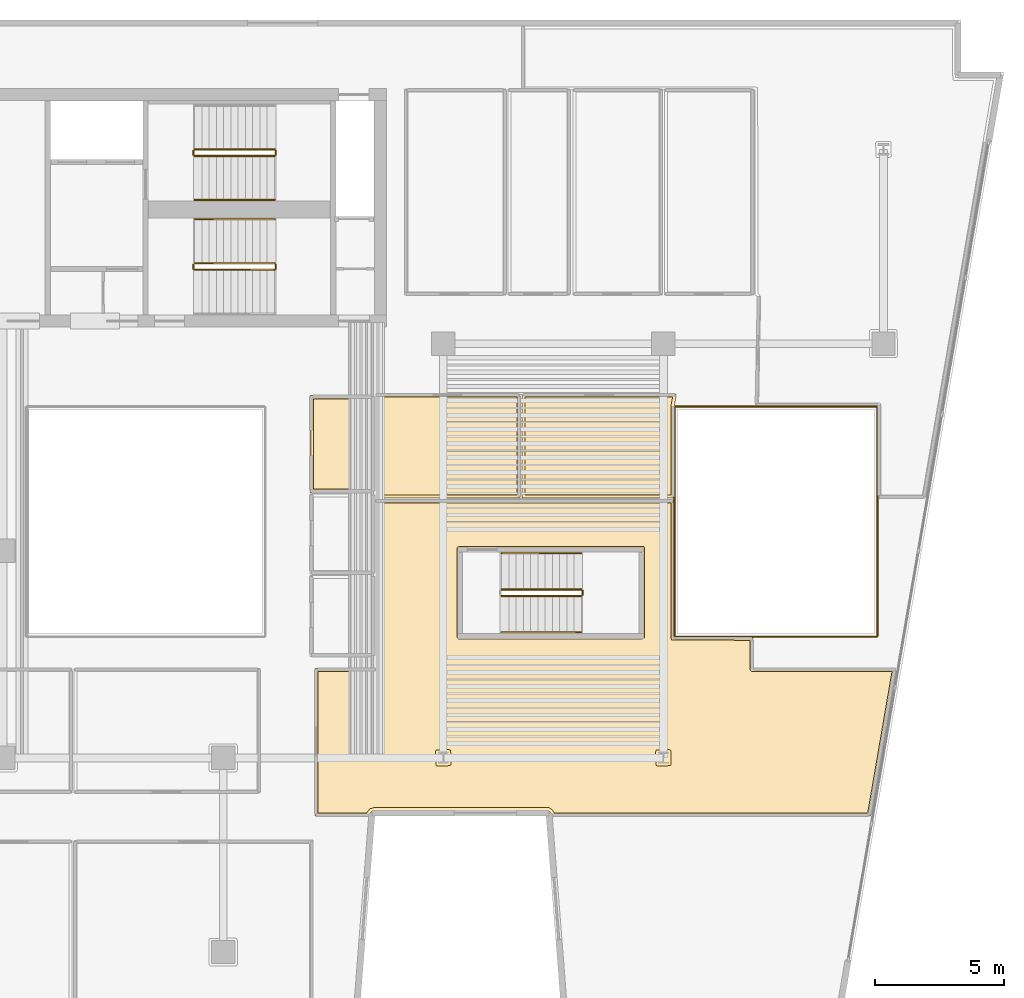
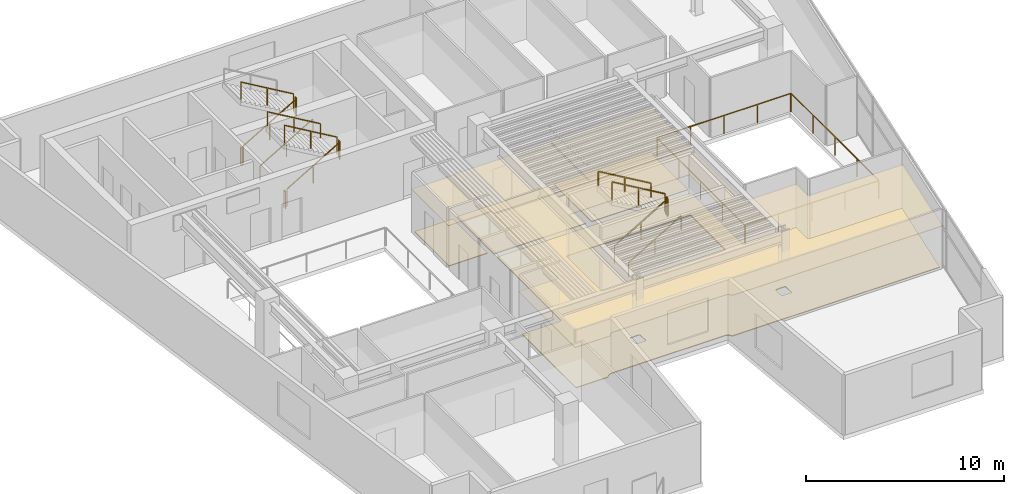
# One storey, part 8 of 9: 19 railings, 8 coverings.
"""IFC4 building model written with IfcOpenShell, lengths in metres."""

from ifc_helpers import new_model, si_unit, direction, frame, origin, origin_2d, place, context, subcontext, project, spatial, polyline, rectangle, outline, extrude, material, layer, layer_set, type_object, element, save


model = new_model("IFC4")

# Units and contexts
model_context = context("Model", 3, precision=1e-05, world=origin(), true_north=direction((0.0, 1.0)))
body_context = subcontext(model_context, "Body", "Model", "MODEL_VIEW")
ifc_project = project(units=[si_unit("LENGTHUNIT", "METRE"), si_unit("AREAUNIT", "SQUARE_METRE"), si_unit("VOLUMEUNIT", "CUBIC_METRE"), si_unit("PLANEANGLEUNIT", "RADIAN"), si_unit("MASSUNIT", "GRAM", prefix="KILO")], contexts=[model_context])

# Site, building, storey
site_placement = place(None, origin())
site = spatial("IfcSite", under=ifc_project, at=site_placement, CompositionType="ELEMENT")
building_placement = place(site_placement, origin())
building = spatial("IfcBuilding", under=site, at=building_placement, Name="Caeloran Harvest Quay", CompositionType="ELEMENT")
storey_placement = place(building_placement, frame((0.0, 0.0, 207.449951171875)))
storey = spatial("IfcBuildingStorey", under=building, at=storey_placement, Name="L49", CompositionType="ELEMENT", Elevation=207.449951171875)

# Coverings
ifc_material_1 = material(Name="Perforated Mineral-Fibre Acoustic Ceiling Tile", Category="ceiling")
ifc_layer_1 = layer(ifc_material_1, 0.0400390625, Name="Perforated Mineral-Fibre Acoustic Ceiling Tile")
ifc_layer_set_1 = layer_set([ifc_layer_1], Name="Perforated Mineral-Fibre Acoustic Ceiling Tile")
covering_type_1 = type_object("IfcCoveringType", Name="COV-CEILING-ACOUSTIC", PredefinedType="CEILING", material=ifc_layer_set_1)
covering_1_placement = place(storey_placement, frame((0.0, 0.0, 2.60009765625)))
element("IfcCovering", 1, at=covering_1_placement, inside=storey, type_object=covering_type_1, Name="L49 Male Washroom WC Acoustic Ceiling", PredefinedType="CEILING", context=body_context, shape_type="SweptSolid", body=[
    extrude(outline(polyline([(22.840087890625, 28.989990234375), (22.840087890625, 25.260009765625), (20.360107421875, 25.260009765625), (20.360107421875, 28.989990234375), (22.840087890625, 28.989990234375)])), origin(), (0.0, 0.0, 1.0), 0.0400390625),
])
covering_2_placement = place(storey_placement, frame((0.0, 0.0, 2.60009765625)))
element("IfcCovering", 2, at=covering_2_placement, inside=storey, type_object=covering_type_1, Name="Roundtable Conference Room Acoustic Ceiling", PredefinedType="CEILING", context=body_context, shape_type="SweptSolid", body=[
    extrude(outline(polyline([(22.594482421875, 12.760009765625), (20.5400390625, 12.760009765625), (20.5400390625, 18.4599609375), (22.85009765625, 18.4599609375), (22.8701171875, 24.9599609375), (34.409912109375, 24.9599609375), (34.409912109375, 19.659912109375), (37.4599609375, 19.659912109375), (37.4599609375, 18.4599609375), (42.972900390625, 18.4599609375), (41.993408203125, 12.760009765625), (29.727294921875, 12.760009765625), (29.64111328125, 12.887451171875), (29.54150390625, 12.969970703125), (22.85791015625, 12.969970703125), (22.792236328125, 12.960205078125), (22.7158203125, 12.918701171875), (22.672607421875, 12.86962890625), (22.64208984375, 12.796142578125), (22.594482421875, 12.760009765625)]), holes=[polyline([(33.159912109375, 19.719970703125), (33.159912109375, 23.059814453125), (26.143798828125, 23.044189453125), (26.15576171875, 19.693603515625), (33.159912109375, 19.719970703125)])]), origin(), (0.0, 0.0, 1.0), 0.0400390625),
])
covering_3_placement = place(storey_placement, frame((0.0, 0.0, 2.60009765625)))
element("IfcCovering", 3, at=covering_3_placement, inside=storey, type_object=covering_type_1, Name="Harbour Tea Kitchen Acoustic Ceiling", PredefinedType="CEILING", context=body_context, shape_type="SweptSolid", body=[
    extrude(outline(polyline([(22.8701171875, 25.0400390625), (22.8701171875, 29.06005859375), (28.4599609375, 29.06005859375), (28.4599609375, 25.0400390625), (22.8701171875, 25.0400390625)])), origin(), (0.0, 0.0, 1.0), 0.0400390625),
])
covering_4_placement = place(storey_placement, frame((0.0, 0.0, 2.60009765625)))
element("IfcCovering", 4, at=covering_4_placement, inside=storey, type_object=covering_type_1, Name="Food-Security Culinary Kitchen 7 Acoustic Ceiling", PredefinedType="CEILING", context=body_context, shape_type="SweptSolid", body=[
    extrude(outline(polyline([(34.409912109375, 28.592041015625), (34.409912109375, 25.0400390625), (28.5400390625, 25.0400390625), (28.5400390625, 29.06005859375), (34.49853515625, 29.06005859375), (34.429931640625, 28.596923828125), (34.409912109375, 28.592041015625)])), origin(), (0.0, 0.0, 1.0), 0.0400390625),
])
ifc_material_2 = material(Name="Calcium-Sulphate Raised Access Floor and Terrazzo Finish", Category="flooring")
ifc_layer_2 = layer(ifc_material_2, 0.050048828125, Name="Calcium-Sulphate Raised Access Floor and Terrazzo Finish")
ifc_layer_set_2 = layer_set([ifc_layer_2], Name="Calcium-Sulphate Raised Access Floor and Terrazzo Finish")
covering_type_2 = type_object("IfcCoveringType", Name="COV-FLOOR-RAISED", PredefinedType="FLOORING", material=ifc_layer_set_2)
covering_5_placement = place(storey_placement, origin())
element("IfcCovering", 5, at=covering_5_placement, inside=storey, type_object=covering_type_2, Name="L49 Male Washroom WC Raised Finish Flooring", PredefinedType="FLOORING", context=body_context, shape_type="SweptSolid", body=[
    extrude(outline(polyline([(22.719970703125, 28.8701171875), (22.719970703125, 25.3798828125), (20.47998046875, 25.3798828125), (20.47998046875, 28.8701171875), (22.719970703125, 28.8701171875)])), origin(), (0.0, 0.0, 1.0), 0.050048828125),
])
covering_6_placement = place(storey_placement, origin())
element("IfcCovering", 6, at=covering_6_placement, inside=storey, type_object=covering_type_2, Name="Roundtable Conference Room Raised Finish Flooring", PredefinedType="FLOORING", context=body_context, shape_type="SweptSolid", body=[
    extrude(outline(polyline([(22.54296875, 12.8798828125), (20.659912109375, 12.8798828125), (20.659912109375, 18.340087890625), (22.889892578125, 18.340087890625), (22.966552734375, 18.396484375), (22.98974609375, 24.840087890625), (34.2900390625, 24.840087890625), (34.2900390625, 19.6201171875), (34.319091796875, 19.55810546875), (37.340087890625, 19.5400390625), (37.34033203125, 18.412109375), (37.412109375, 18.34033203125), (42.83056640625, 18.340087890625), (41.89208984375, 12.8798828125), (29.783447265625, 12.8798828125), (29.709716796875, 12.990478515625), (29.559326171875, 13.090087890625), (22.85302734375, 13.08984375), (22.669189453125, 13.033203125), (22.54296875, 12.8798828125)]), holes=[polyline([(34.302490234375, 14.754150390625), (34.284912109375, 15.288818359375), (34.230712890625, 15.317626953125), (33.726318359375, 15.2998046875), (33.697021484375, 15.238037109375), (33.715087890625, 14.711181640625), (33.777099609375, 14.681884765625), (34.273681640625, 14.7001953125), (34.302490234375, 14.754150390625)]), polyline([(26.103515625, 23.1640625), (26.046875, 23.140380859375), (26.0234375, 23.083984375), (26.035888671875, 19.6533203125), (26.078369140625, 19.5830078125), (33.2001953125, 19.60009765625), (33.2705078125, 19.642333984375), (33.280029296875, 23.10009765625), (33.237548828125, 23.170654296875), (26.103515625, 23.1640625)]), polyline([(25.802490234375, 14.754150390625), (25.784912109375, 15.288818359375), (25.730712890625, 15.317626953125), (25.226318359375, 15.2998046875), (25.197021484375, 15.238037109375), (25.215087890625, 14.711181640625), (25.277099609375, 14.681884765625), (25.773681640625, 14.7001953125), (25.802490234375, 14.754150390625)])]), origin(), (0.0, 0.0, 1.0), 0.050048828125),
])
covering_7_placement = place(storey_placement, origin())
element("IfcCovering", 7, at=covering_7_placement, inside=storey, type_object=covering_type_2, Name="Harbour Tea Kitchen Raised Finish Flooring", PredefinedType="FLOORING", context=body_context, shape_type="SweptSolid", body=[
    extrude(outline(polyline([(22.989990234375, 25.159912109375), (22.989990234375, 28.93994140625), (28.340087890625, 28.93994140625), (28.340087890625, 25.159912109375), (22.989990234375, 25.159912109375)])), origin(), (0.0, 0.0, 1.0), 0.050048828125),
])
covering_8_placement = place(storey_placement, origin())
element("IfcCovering", 8, at=covering_8_placement, inside=storey, type_object=covering_type_2, Name="Food-Security Culinary Kitchen 7 Raised Finish Flooring", PredefinedType="FLOORING", context=body_context, shape_type="SweptSolid", body=[
    extrude(outline(polyline([(34.359619140625, 28.93994140625), (34.2900390625, 28.60009765625), (34.2900390625, 25.159912109375), (28.659912109375, 25.159912109375), (28.659912109375, 28.93994140625), (34.359619140625, 28.93994140625)])), origin(), (0.0, 0.0, 1.0), 0.050048828125),
])

# Railings
ifc_material_3 = material(Name="Powder-Coated Steel Post and Laminated Glass Guardrail", Category="steel")
ifc_layer_3 = layer(ifc_material_3, 0.06005859375, Name="Powder-Coated Steel Post and Laminated Glass Guardrail")
ifc_layer_set_3 = layer_set([ifc_layer_3], Name="Powder-Coated Steel Post and Laminated Glass Guardrail")
railing_type_1 = type_object("IfcRailingType", Name="GUARD-ATRIUM-1150", PredefinedType="GUARDRAIL", material=ifc_layer_set_3)
railing_1_placement = place(storey_placement, frame((34.4619140625, 19.679931640625, 0.0)))
element("IfcRailing", 9, at=railing_1_placement, inside=storey, type_object=railing_type_1, Name="L49 East Botanical Lightwell Guardrail Seg 1", PredefinedType="GUARDRAIL", context=body_context, shape_type="SweptSolid", body=[
    extrude(rectangle(XDim=0.048095703125, YDim=0.048095703125, at=origin_2d()), frame((0.0, 0.0, 1.1259765625), z_axis=(1.0, 0.0, 0.0), x_axis=(0.0, 1.0, 0.0)), (0.0, 0.0, 1.0), 7.776123046875),
    extrude(rectangle(XDim=0.0419921875, YDim=0.0419921875, at=origin_2d()), origin(), (0.0, 0.0, 1.0), 1.101806640625),
    extrude(rectangle(XDim=0.0419921875, YDim=0.0419921875, at=origin_2d()), frame((1.944091796875, 0.0, 0.0)), (0.0, 0.0, 1.0), 1.101806640625),
    extrude(rectangle(XDim=0.0419921875, YDim=0.0419921875, at=origin_2d()), frame((3.88818359375, 0.0, 0.0)), (0.0, 0.0, 1.0), 1.101806640625),
    extrude(rectangle(XDim=0.0419921875, YDim=0.0419921875, at=origin_2d()), frame((5.83203125, 0.0, 0.0)), (0.0, 0.0, 1.0), 1.101806640625),
    extrude(rectangle(XDim=0.0419921875, YDim=0.0419921875, at=origin_2d()), frame((7.776123046875, 0.0, 0.0)), (0.0, 0.0, 1.0), 1.101806640625),
])
railing_2_placement = place(storey_placement, frame((42.27001953125, 19.7119140625, 0.0)))
element("IfcRailing", 10, at=railing_2_placement, inside=storey, type_object=railing_type_1, Name="L49 East Botanical Lightwell Guardrail Seg 2", PredefinedType="GUARDRAIL", context=body_context, shape_type="SweptSolid", body=[
    extrude(rectangle(XDim=0.048095703125, YDim=0.048095703125, at=origin_2d()), frame((0.0, 0.0, 1.1259765625), z_axis=(0.0, 1.0, 0.0), x_axis=(-1.0, 0.0, 0.0)), (0.0, 0.0, 1.0), 8.826171875),
    extrude(rectangle(XDim=0.0419921875, YDim=0.0419921875, at=origin_2d()), origin(), (0.0, 0.0, 1.0), 1.101806640625),
    extrude(rectangle(XDim=0.0419921875, YDim=0.0419921875, at=origin_2d()), frame((0.0, 2.20654296875, 0.0)), (0.0, 0.0, 1.0), 1.101806640625),
    extrude(rectangle(XDim=0.0419921875, YDim=0.0419921875, at=origin_2d()), frame((0.0, 4.4130859375, 0.0)), (0.0, 0.0, 1.0), 1.101806640625),
    extrude(rectangle(XDim=0.0419921875, YDim=0.0419921875, at=origin_2d()), frame((0.0, 6.61962890625, 0.0)), (0.0, 0.0, 1.0), 1.101806640625),
    extrude(rectangle(XDim=0.0419921875, YDim=0.0419921875, at=origin_2d()), frame((0.0, 8.826171875, 0.0)), (0.0, 0.0, 1.0), 1.101806640625),
])
railing_3_placement = place(storey_placement, frame((42.238037109375, 28.570068359375, 0.0)))
element("IfcRailing", 11, at=railing_3_placement, inside=storey, type_object=railing_type_1, Name="L49 East Botanical Lightwell Guardrail Seg 3", PredefinedType="GUARDRAIL", context=body_context, shape_type="SweptSolid", body=[
    extrude(rectangle(XDim=0.048095703125, YDim=0.048095703125, at=origin_2d()), frame((0.0, 0.0, 1.1259765625), z_axis=(-1.0, 0.0, 0.0), x_axis=(0.0, -1.0, 0.0)), (0.0, 0.0, 1.0), 7.776123046875),
    extrude(rectangle(XDim=0.0419921875, YDim=0.0419921875, at=origin_2d()), origin(), (0.0, 0.0, 1.0), 1.101806640625),
    extrude(rectangle(XDim=0.0419921875, YDim=0.0419921875, at=origin_2d()), frame((-1.944091796875, 0.0, 0.0)), (0.0, 0.0, 1.0), 1.101806640625),
    extrude(rectangle(XDim=0.0419921875, YDim=0.0419921875, at=origin_2d()), frame((-3.88818359375, 0.0, 0.0)), (0.0, 0.0, 1.0), 1.101806640625),
    extrude(rectangle(XDim=0.0419921875, YDim=0.0419921875, at=origin_2d()), frame((-5.83203125, 0.0, 0.0)), (0.0, 0.0, 1.0), 1.101806640625),
    extrude(rectangle(XDim=0.0419921875, YDim=0.0419921875, at=origin_2d()), frame((-7.776123046875, 0.0, 0.0)), (0.0, 0.0, 1.0), 1.101806640625),
])
railing_4_placement = place(storey_placement, frame((34.429931640625, 28.5380859375, 0.0)))
element("IfcRailing", 12, at=railing_4_placement, inside=storey, type_object=railing_type_1, Name="L49 East Botanical Lightwell Guardrail Seg 4", PredefinedType="GUARDRAIL", context=body_context, shape_type="SweptSolid", body=[
    extrude(rectangle(XDim=0.048095703125, YDim=0.048095703125, at=origin_2d()), frame((0.0, 0.0, 1.1259765625), z_axis=(0.0, -1.0, 0.0), x_axis=(1.0, 0.0, 0.0)), (0.0, 0.0, 1.0), 8.826171875),
    extrude(rectangle(XDim=0.0419921875, YDim=0.0419921875, at=origin_2d()), origin(), (0.0, 0.0, 1.0), 1.101806640625),
    extrude(rectangle(XDim=0.0419921875, YDim=0.0419921875, at=origin_2d()), frame((0.0, -2.20654296875, 0.0)), (0.0, 0.0, 1.0), 1.101806640625),
    extrude(rectangle(XDim=0.0419921875, YDim=0.0419921875, at=origin_2d()), frame((0.0, -4.4130859375, 0.0)), (0.0, 0.0, 1.0), 1.101806640625),
    extrude(rectangle(XDim=0.0419921875, YDim=0.0419921875, at=origin_2d()), frame((0.0, -6.61962890625, 0.0)), (0.0, 0.0, 1.0), 1.101806640625),
    extrude(rectangle(XDim=0.0419921875, YDim=0.0419921875, at=origin_2d()), frame((0.0, -8.826171875, 0.0)), (0.0, 0.0, 1.0), 1.101806640625),
])
ifc_material_4 = material(Name="Painted Steel Baluster and Top-Rail Stair Guard", Category="steel")
ifc_layer_4 = layer(ifc_material_4, 0.050048828125, Name="Painted Steel Baluster and Top-Rail Stair Guard")
ifc_layer_set_4 = layer_set([ifc_layer_4], Name="Painted Steel Baluster and Top-Rail Stair Guard")
railing_type_2 = type_object("IfcRailingType", Name="STAIR-GUARD-1100", PredefinedType="GUARDRAIL", material=ifc_layer_set_4)
railing_5_placement = place(storey_placement, frame((15.89990234375, 38.25, 0.16455078125)))
element("IfcRailing", 13, at=railing_5_placement, inside=storey, type_object=railing_type_2, Name="L49 ST-C1 stair guard 1", PredefinedType="GUARDRAIL", context=body_context, shape_type="SweptSolid", body=[
    extrude(rectangle(XDim=0.048095703125, YDim=0.048095703125, at=origin_2d()), frame((0.0, 0.0, 1.076171875), z_axis=(0.862088758681, 0.0, 0.506757310905), x_axis=(0.0, 1.0, 0.0)), (0.0, 0.0, 1.0), 3.57275390625),
    extrude(rectangle(XDim=0.0419921875, YDim=0.0419921875, at=origin_2d()), origin(), (0.0, 0.0, 1.0), 1.052001953125),
    extrude(rectangle(XDim=0.0419921875, YDim=0.0419921875, at=origin_2d()), frame((1.5400390625, 0.0, 0.9052734375)), (0.0, 0.0, 1.0), 1.052001953125),
    extrude(rectangle(XDim=0.0419921875, YDim=0.0419921875, at=origin_2d()), frame((3.080078125, 0.0, 1.810546875)), (0.0, 0.0, 1.0), 1.052001953125),
])
railing_6_placement = place(storey_placement, frame((19.030029296875, 38.300048828125, 1.97509765625)))
element("IfcRailing", 14, at=railing_6_placement, inside=storey, type_object=railing_type_2, Name="L49 ST-C1 stair guard 2", PredefinedType="GUARDRAIL", context=body_context, shape_type="SweptSolid", body=[
    extrude(rectangle(XDim=0.048095703125, YDim=0.048095703125, at=origin_2d()), frame((0.0, 0.0, 1.076171875), z_axis=(0.0, 1.0, 0.0), x_axis=(-1.0, 0.0, 0.0)), (0.0, 0.0, 1.0), 0.14990234375),
    extrude(rectangle(XDim=0.0419921875, YDim=0.0419921875, at=origin_2d()), origin(), (0.0, 0.0, 1.0), 1.052001953125),
    extrude(rectangle(XDim=0.0419921875, YDim=0.0419921875, at=origin_2d()), frame((0.0, 0.14990234375, 0.0)), (0.0, 0.0, 1.0), 1.052001953125),
])
railing_7_placement = place(storey_placement, frame((18.97998046875, 38.5, 2.1396484375)))
element("IfcRailing", 15, at=railing_7_placement, inside=storey, type_object=railing_type_2, Name="L49 ST-C1 stair guard 3", PredefinedType="GUARDRAIL", context=body_context, shape_type="SweptSolid", body=[
    extrude(rectangle(XDim=0.048095703125, YDim=0.048095703125, at=origin_2d()), frame((0.0, 0.0, 1.076171875), z_axis=(-0.862118610829, 0.0, 0.506706523406), x_axis=(0.0, -1.0, 0.0)), (0.0, 0.0, 1.0), 3.57275390625),
    extrude(rectangle(XDim=0.0419921875, YDim=0.0419921875, at=origin_2d()), origin(), (0.0, 0.0, 1.0), 1.052001953125),
    extrude(rectangle(XDim=0.0419921875, YDim=0.0419921875, at=origin_2d()), frame((-1.5400390625, 0.0, 0.9052734375)), (0.0, 0.0, 1.0), 1.052001953125),
    extrude(rectangle(XDim=0.0419921875, YDim=0.0419921875, at=origin_2d()), frame((-3.080078125, 0.0, 1.810302734375)), (0.0, 0.0, 1.0), 1.052001953125),
])
railing_8_placement = place(storey_placement, frame((15.85009765625, 38.300048828125, 0.0)))
element("IfcRailing", 16, at=railing_8_placement, inside=storey, type_object=railing_type_2, Name="L49 ST-C1 stair guard 4", PredefinedType="GUARDRAIL", context=body_context, shape_type="SweptSolid", body=[
    extrude(rectangle(XDim=0.048095703125, YDim=0.048095703125, at=origin_2d()), frame((0.0, 0.0, 1.076171875), z_axis=(0.0, 1.0, 0.0), x_axis=(-1.0, 0.0, 0.0)), (0.0, 0.0, 1.0), 0.14990234375),
    extrude(rectangle(XDim=0.0419921875, YDim=0.0419921875, at=origin_2d()), origin(), (0.0, 0.0, 1.0), 1.052001953125),
    extrude(rectangle(XDim=0.0419921875, YDim=0.0419921875, at=origin_2d()), frame((0.0, 0.14990234375, 0.0)), (0.0, 0.0, 1.0), 1.052001953125),
])
railing_9_placement = place(storey_placement, frame((15.89990234375, 33.85009765625, 0.16455078125)))
element("IfcRailing", 17, at=railing_9_placement, inside=storey, type_object=railing_type_2, Name="L49 ST-C2 stair guard 1", PredefinedType="GUARDRAIL", context=body_context, shape_type="SweptSolid", body=[
    extrude(rectangle(XDim=0.048095703125, YDim=0.048095703125, at=origin_2d()), frame((0.0, 0.0, 1.076171875), z_axis=(0.862088758681, 0.0, 0.506757310905), x_axis=(0.0, 1.0, 0.0)), (0.0, 0.0, 1.0), 3.57275390625),
    extrude(rectangle(XDim=0.0419921875, YDim=0.0419921875, at=origin_2d()), origin(), (0.0, 0.0, 1.0), 1.052001953125),
    extrude(rectangle(XDim=0.0419921875, YDim=0.0419921875, at=origin_2d()), frame((1.5400390625, 0.0, 0.9052734375)), (0.0, 0.0, 1.0), 1.052001953125),
    extrude(rectangle(XDim=0.0419921875, YDim=0.0419921875, at=origin_2d()), frame((3.080078125, 0.0, 1.810546875)), (0.0, 0.0, 1.0), 1.052001953125),
])
railing_10_placement = place(storey_placement, frame((19.030029296875, 33.89990234375, 1.97509765625)))
element("IfcRailing", 18, at=railing_10_placement, inside=storey, type_object=railing_type_2, Name="L49 ST-C2 stair guard 2", PredefinedType="GUARDRAIL", context=body_context, shape_type="SweptSolid", body=[
    extrude(rectangle(XDim=0.048095703125, YDim=0.048095703125, at=origin_2d()), frame((0.0, 0.0, 1.076171875), z_axis=(0.0, 1.0, 0.0), x_axis=(-1.0, 0.0, 0.0)), (0.0, 0.0, 1.0), 0.150146484375),
    extrude(rectangle(XDim=0.0419921875, YDim=0.0419921875, at=origin_2d()), origin(), (0.0, 0.0, 1.0), 1.052001953125),
    extrude(rectangle(XDim=0.0419921875, YDim=0.0419921875, at=origin_2d()), frame((0.0, 0.150146484375, 0.0)), (0.0, 0.0, 1.0), 1.052001953125),
])
railing_11_placement = place(storey_placement, frame((18.97998046875, 34.10009765625, 2.1396484375)))
element("IfcRailing", 19, at=railing_11_placement, inside=storey, type_object=railing_type_2, Name="L49 ST-C2 stair guard 3", PredefinedType="GUARDRAIL", context=body_context, shape_type="SweptSolid", body=[
    extrude(rectangle(XDim=0.048095703125, YDim=0.048095703125, at=origin_2d()), frame((0.0, 0.0, 1.076171875), z_axis=(-0.862118610829, 0.0, 0.506706523406), x_axis=(0.0, -1.0, 0.0)), (0.0, 0.0, 1.0), 3.57275390625),
    extrude(rectangle(XDim=0.0419921875, YDim=0.0419921875, at=origin_2d()), origin(), (0.0, 0.0, 1.0), 1.052001953125),
    extrude(rectangle(XDim=0.0419921875, YDim=0.0419921875, at=origin_2d()), frame((-1.5400390625, 0.0, 0.9052734375)), (0.0, 0.0, 1.0), 1.052001953125),
    extrude(rectangle(XDim=0.0419921875, YDim=0.0419921875, at=origin_2d()), frame((-3.080078125, 0.0, 1.810302734375)), (0.0, 0.0, 1.0), 1.052001953125),
])
railing_12_placement = place(storey_placement, frame((15.85009765625, 33.89990234375, 0.0)))
element("IfcRailing", 20, at=railing_12_placement, inside=storey, type_object=railing_type_2, Name="L49 ST-C2 stair guard 4", PredefinedType="GUARDRAIL", context=body_context, shape_type="SweptSolid", body=[
    extrude(rectangle(XDim=0.048095703125, YDim=0.048095703125, at=origin_2d()), frame((0.0, 0.0, 1.076171875), z_axis=(0.0, 1.0, 0.0), x_axis=(-1.0, 0.0, 0.0)), (0.0, 0.0, 1.0), 0.150146484375),
    extrude(rectangle(XDim=0.0419921875, YDim=0.0419921875, at=origin_2d()), origin(), (0.0, 0.0, 1.0), 1.052001953125),
    extrude(rectangle(XDim=0.0419921875, YDim=0.0419921875, at=origin_2d()), frame((0.0, 0.150146484375, 0.0)), (0.0, 0.0, 1.0), 1.052001953125),
])
railing_13_placement = place(storey_placement, frame((27.75, 21.25, 0.16455078125)))
element("IfcRailing", 21, at=railing_13_placement, inside=storey, type_object=railing_type_2, Name="L49 ST-W1 stair guard 1", PredefinedType="GUARDRAIL", context=body_context, shape_type="SweptSolid", body=[
    extrude(rectangle(XDim=0.048095703125, YDim=0.048095703125, at=origin_2d()), frame((0.0, 0.0, 1.076171875), z_axis=(0.862088758681, 0.0, 0.506757310905), x_axis=(0.0, 1.0, 0.0)), (0.0, 0.0, 1.0), 3.57275390625),
    extrude(rectangle(XDim=0.0419921875, YDim=0.0419921875, at=origin_2d()), origin(), (0.0, 0.0, 1.0), 1.052001953125),
    extrude(rectangle(XDim=0.0419921875, YDim=0.0419921875, at=origin_2d()), frame((1.5400390625, 0.0, 0.9052734375)), (0.0, 0.0, 1.0), 1.052001953125),
    extrude(rectangle(XDim=0.0419921875, YDim=0.0419921875, at=origin_2d()), frame((3.080078125, 0.0, 1.810546875)), (0.0, 0.0, 1.0), 1.052001953125),
])
railing_14_placement = place(storey_placement, frame((30.8798828125, 21.300048828125, 1.97509765625)))
element("IfcRailing", 22, at=railing_14_placement, inside=storey, type_object=railing_type_2, Name="L49 ST-W1 stair guard 2", PredefinedType="GUARDRAIL", context=body_context, shape_type="SweptSolid", body=[
    extrude(rectangle(XDim=0.048095703125, YDim=0.048095703125, at=origin_2d()), frame((0.0, 0.0, 1.076171875), z_axis=(0.0, 1.0, 0.0), x_axis=(-1.0, 0.0, 0.0)), (0.0, 0.0, 1.0), 0.14990234375),
    extrude(rectangle(XDim=0.0419921875, YDim=0.0419921875, at=origin_2d()), origin(), (0.0, 0.0, 1.0), 1.052001953125),
    extrude(rectangle(XDim=0.0419921875, YDim=0.0419921875, at=origin_2d()), frame((0.0, 0.14990234375, 0.0)), (0.0, 0.0, 1.0), 1.052001953125),
])
railing_15_placement = place(storey_placement, frame((30.830078125, 21.5, 2.1396484375)))
element("IfcRailing", 23, at=railing_15_placement, inside=storey, type_object=railing_type_2, Name="L49 ST-W1 stair guard 3", PredefinedType="GUARDRAIL", context=body_context, shape_type="SweptSolid", body=[
    extrude(rectangle(XDim=0.048095703125, YDim=0.048095703125, at=origin_2d()), frame((0.0, 0.0, 1.076171875), z_axis=(-0.862118610829, 0.0, 0.506706523406), x_axis=(0.0, -1.0, 0.0)), (0.0, 0.0, 1.0), 3.57275390625),
    extrude(rectangle(XDim=0.0419921875, YDim=0.0419921875, at=origin_2d()), origin(), (0.0, 0.0, 1.0), 1.052001953125),
    extrude(rectangle(XDim=0.0419921875, YDim=0.0419921875, at=origin_2d()), frame((-1.5400390625, 0.0, 0.9052734375)), (0.0, 0.0, 1.0), 1.052001953125),
    extrude(rectangle(XDim=0.0419921875, YDim=0.0419921875, at=origin_2d()), frame((-3.080078125, 0.0, 1.810302734375)), (0.0, 0.0, 1.0), 1.052001953125),
])
ifc_material_5 = material(Name="Brushed Stainless Steel Grade 304", Category="steel")
ifc_layer_5 = layer(ifc_material_5, 0.050048828125, Name="Brushed Stainless Steel Grade 304")
ifc_layer_set_5 = layer_set([ifc_layer_5], Name="Brushed Stainless Steel Grade 304")
railing_type_3 = type_object("IfcRailingType", Name="STAIR-HANDRAIL-900", PredefinedType="HANDRAIL", material=ifc_layer_set_5)
railing_16_placement = place(storey_placement, frame((15.89990234375, 36.550048828125, 0.16455078125)))
element("IfcRailing", 24, at=railing_16_placement, inside=storey, type_object=railing_type_3, Name="L49 ST-C1 stair handrail 1", PredefinedType="HANDRAIL", context=body_context, shape_type="SweptSolid", body=[
    extrude(rectangle(XDim=0.048095703125, YDim=0.048095703125, at=origin_2d()), frame((0.0, 0.0, 0.8759765625), z_axis=(0.862088758681, 0.0, 0.506757310905), x_axis=(0.0, 1.0, 0.0)), (0.0, 0.0, 1.0), 3.57275390625),
    extrude(rectangle(XDim=0.0419921875, YDim=0.0419921875, at=origin_2d()), origin(), (0.0, 0.0, 1.0), 0.851806640625),
    extrude(rectangle(XDim=0.0419921875, YDim=0.0419921875, at=origin_2d()), frame((1.5400390625, 0.0, 0.9052734375)), (0.0, 0.0, 1.0), 0.851806640625),
    extrude(rectangle(XDim=0.0419921875, YDim=0.0419921875, at=origin_2d()), frame((3.080078125, 0.0, 1.810546875)), (0.0, 0.0, 1.0), 0.851806640625),
])
railing_17_placement = place(storey_placement, frame((18.97998046875, 35.800048828125, 2.1396484375)))
element("IfcRailing", 25, at=railing_17_placement, inside=storey, type_object=railing_type_3, Name="L49 ST-C2 stair handrail 2", PredefinedType="HANDRAIL", context=body_context, shape_type="SweptSolid", body=[
    extrude(rectangle(XDim=0.048095703125, YDim=0.048095703125, at=origin_2d()), frame((0.0, 0.0, 0.8759765625), z_axis=(-0.862118610829, 0.0, 0.506706523406), x_axis=(0.0, -1.0, 0.0)), (0.0, 0.0, 1.0), 3.57275390625),
    extrude(rectangle(XDim=0.0419921875, YDim=0.0419921875, at=origin_2d()), origin(), (0.0, 0.0, 1.0), 0.851806640625),
    extrude(rectangle(XDim=0.0419921875, YDim=0.0419921875, at=origin_2d()), frame((-1.5400390625, 0.0, 0.9052734375)), (0.0, 0.0, 1.0), 0.851806640625),
    extrude(rectangle(XDim=0.0419921875, YDim=0.0419921875, at=origin_2d()), frame((-3.080078125, 0.0, 1.810302734375)), (0.0, 0.0, 1.0), 0.851806640625),
])
railing_18_placement = place(storey_placement, frame((27.75, 19.85009765625, 0.16455078125)))
element("IfcRailing", 26, at=railing_18_placement, inside=storey, type_object=railing_type_3, Name="L49 ST-W1 stair handrail 1", PredefinedType="HANDRAIL", context=body_context, shape_type="SweptSolid", body=[
    extrude(rectangle(XDim=0.048095703125, YDim=0.048095703125, at=origin_2d()), frame((0.0, 0.0, 0.8759765625), z_axis=(0.862088758681, 0.0, 0.506757310905), x_axis=(0.0, 1.0, 0.0)), (0.0, 0.0, 1.0), 3.57275390625),
    extrude(rectangle(XDim=0.0419921875, YDim=0.0419921875, at=origin_2d()), origin(), (0.0, 0.0, 1.0), 0.851806640625),
    extrude(rectangle(XDim=0.0419921875, YDim=0.0419921875, at=origin_2d()), frame((1.5400390625, 0.0, 0.9052734375)), (0.0, 0.0, 1.0), 0.851806640625),
    extrude(rectangle(XDim=0.0419921875, YDim=0.0419921875, at=origin_2d()), frame((3.080078125, 0.0, 1.810546875)), (0.0, 0.0, 1.0), 0.851806640625),
])
railing_19_placement = place(storey_placement, frame((30.830078125, 22.89990234375, 2.1396484375)))
element("IfcRailing", 27, at=railing_19_placement, inside=storey, type_object=railing_type_3, Name="L49 ST-W1 stair handrail 2", PredefinedType="HANDRAIL", context=body_context, shape_type="SweptSolid", body=[
    extrude(rectangle(XDim=0.048095703125, YDim=0.048095703125, at=origin_2d()), frame((0.0, 0.0, 0.8759765625), z_axis=(-0.862118610829, 0.0, 0.506706523406), x_axis=(0.0, -1.0, 0.0)), (0.0, 0.0, 1.0), 3.57275390625),
    extrude(rectangle(XDim=0.0419921875, YDim=0.0419921875, at=origin_2d()), origin(), (0.0, 0.0, 1.0), 0.851806640625),
    extrude(rectangle(XDim=0.0419921875, YDim=0.0419921875, at=origin_2d()), frame((-1.5400390625, 0.0, 0.9052734375)), (0.0, 0.0, 1.0), 0.851806640625),
    extrude(rectangle(XDim=0.0419921875, YDim=0.0419921875, at=origin_2d()), frame((-3.080078125, 0.0, 1.810302734375)), (0.0, 0.0, 1.0), 0.851806640625),
])

save(model, "model.ifc")
